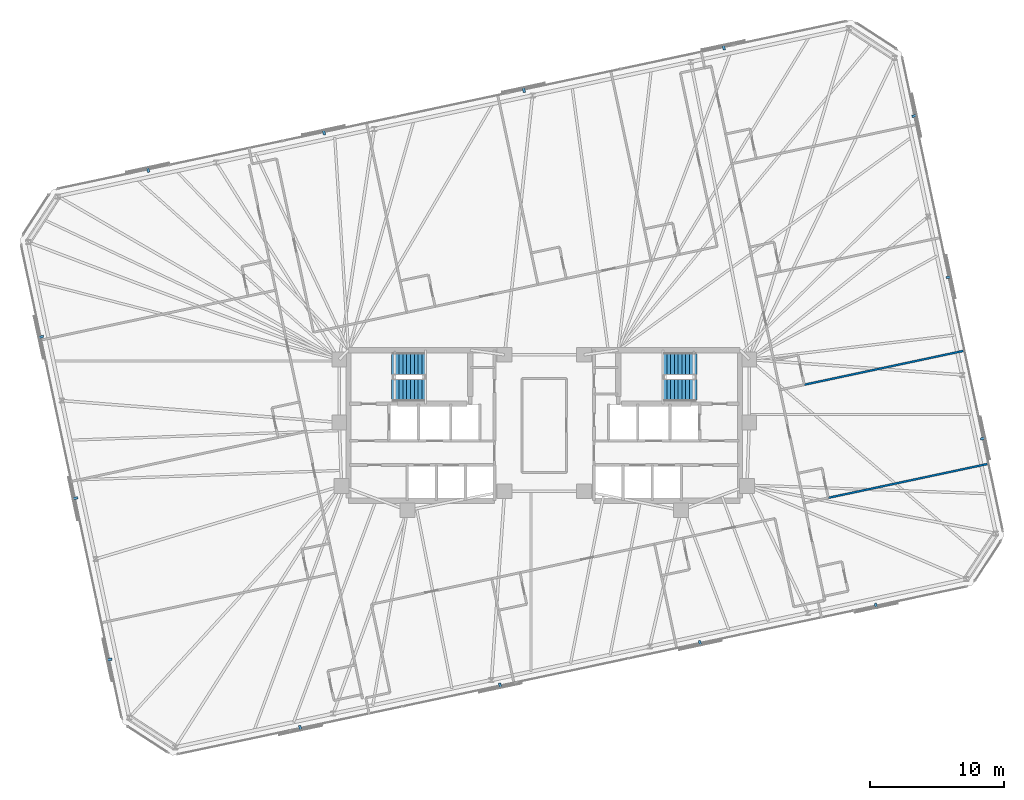
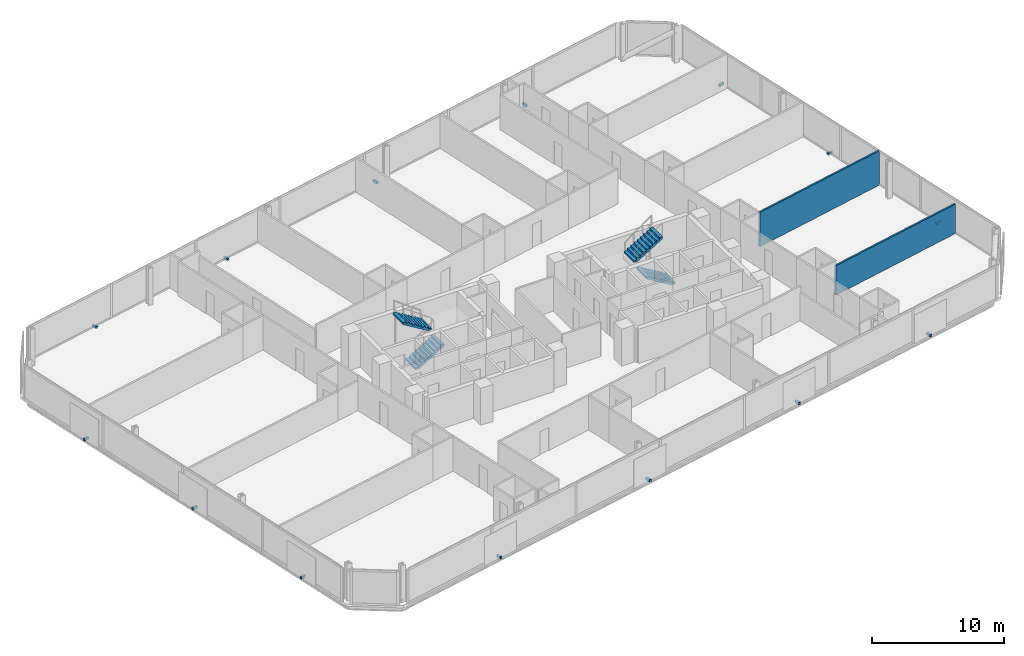
# One storey, part 18 of 19: 14 discrete accessories, 4 stair flights, 2 walls, 2 elements without a shape of their own.
"""IFC4 building model written with IfcOpenShell, lengths in metres."""

from ifc_helpers import new_model, si_unit, direction, frame, frame_2d, origin, origin_2d, place, context, subcontext, project, spatial, polyline, rectangle, outline, extrude, material, layer, layer_set, type_object, element, aggregate, save


model = new_model("IFC4")

# Units and contexts
model_context = context("Model", 3, precision=1e-05, world=origin(), true_north=direction((0.0, 1.0)))
body_context = subcontext(model_context, "Body", "Model", "MODEL_VIEW")
ifc_project = project(units=[si_unit("LENGTHUNIT", "METRE"), si_unit("AREAUNIT", "SQUARE_METRE"), si_unit("VOLUMEUNIT", "CUBIC_METRE"), si_unit("PLANEANGLEUNIT", "RADIAN"), si_unit("MASSUNIT", "GRAM", prefix="KILO")], contexts=[model_context])

# Site, building, storey
site_placement = place(None, origin())
site = spatial("IfcSite", under=ifc_project, at=site_placement, CompositionType="ELEMENT")
building_placement = place(site_placement, origin())
building = spatial("IfcBuilding", under=site, at=building_placement, Name="Menara Jurai Vektor", CompositionType="ELEMENT")
storey_placement = place(building_placement, frame((0.0, 0.0, 195.60009765625)))
storey = spatial("IfcBuildingStorey", under=building, at=storey_placement, Name="L51", CompositionType="ELEMENT", Elevation=195.60009765625)

# Walls
ifc_material_1 = material(Name="Gypsum Fireboard Partition", Category="gypsum")
ifc_layer_1 = layer(ifc_material_1, 0.14990234375)
ifc_layer_set_1 = layer_set([ifc_layer_1], Name="Gypsum Fireboard Partition")
wall_type_1 = type_object("IfcWallType", Name="INT-WALL-CORR-150", PredefinedType="PARTITIONING", material=ifc_layer_set_1)
wall_1_placement = place(storey_placement, frame((19.34130859375, 3.025146484375, 0.0), z_axis=(0.0, 0.0, 1.0), x_axis=(0.97814556055, 0.207921288896, 0.0)))
element("IfcWall", 1, at=wall_1_placement, inside=storey, type_object=wall_type_1, Name="Interior Wall IW-150 L51", PredefinedType="PARTITIONING", context=body_context, shape_type="SweptSolid", body=[
    extrude(rectangle(XDim=12.18701171875, YDim=0.14990234375, at=frame_2d((6.093505859375, 0.0))), origin(), (0.0, 0.0, 1.0), 3.1748046875),
])
ifc_layer_2 = layer(ifc_material_1, 0.14990234375)
ifc_layer_set_2 = layer_set([ifc_layer_2], Name="Gypsum Fireboard Partition")
wall_type_2 = type_object("IfcWallType", Name="INT-WALL-CORR-150-H1", PredefinedType="PARTITIONING", material=ifc_layer_set_2)
wall_2_placement = place(storey_placement, frame((21.12939453125, -5.386962890625, 0.0), z_axis=(0.0, 0.0, 1.0), x_axis=(0.97814556055, 0.207921288896, 0.0)))
element("IfcWall", 2, at=wall_2_placement, inside=storey, type_object=wall_type_2, Name="Interior Wall IW-150 L51", PredefinedType="PARTITIONING", context=body_context, shape_type="SweptSolid", body=[
    extrude(rectangle(XDim=12.18701171875, YDim=0.14990234375, at=frame_2d((6.093505859375, 0.0))), origin(), (0.0, 0.0, 1.0), 2.724853515625),
])

# Stair, stair flights
ifc_material_2 = material(Name="Concrete C40/50", Category="concrete")
stair_type = type_object("IfcStairType", Name="STAIR-DOGLEG-1500", PredefinedType="HALF_TURN_STAIR", material=ifc_material_2)
stair_1_placement = place(storey_placement, origin())
stair_1 = element("IfcStair", 3, at=stair_1_placement, inside=storey, type_object=stair_type, Name="Protected Exit Stair ST1 L51", PredefinedType="HALF_TURN_STAIR")
stair_flight_type = type_object("IfcStairFlightType", Name="STAIR-FLIGHT-1500", PredefinedType="STRAIGHT", material=ifc_material_2)
stair_flight_1_placement = place(storey_placement, frame((-11.35009765625, 2.64990234375, 0.0), z_axis=(0.0, 0.0, 1.0), x_axis=(1.0, 0.0, 0.0)))
stair_flight_1 = element("IfcStairFlight", 4, at=stair_flight_1_placement, type_object=stair_flight_type, Name="ST1 flight 1", NumberOfRisers=10, NumberOfTreads=9, PredefinedType="STRAIGHT", RiserHeight=0.17, TreadLength=0.28, context=body_context, shape_type="SweptSolid", body=[
    extrude(outline(polyline([(0.0, 0.0), (0.0, 0.169921875), (0.280029296875, 0.169921875), (0.280029296875, 0.340087890625), (0.56005859375, 0.340087890625), (0.56005859375, 0.510009765625), (0.840087890625, 0.510009765625), (0.840087890625, 0.679931640625), (1.1201171875, 0.679931640625), (1.1201171875, 0.85009765625), (1.39990234375, 0.85009765625), (1.39990234375, 1.02001953125), (1.679931640625, 1.02001953125), (1.679931640625, 1.18994140625), (1.9599609375, 1.18994140625), (1.9599609375, 1.360107421875), (2.239990234375, 1.360107421875), (2.239990234375, 1.530029296875), (2.52001953125, 1.530029296875), (2.52001953125, 1.699951171875), (2.52001953125, 1.343017578125), (0.30810546875, 0.0), (0.0, 0.0)])), frame((0.0, 0.75, 0.0), z_axis=(0.0, -1.0, 0.0), x_axis=(1.0, 0.0, 0.0)), (0.0, 0.0, 1.0), 1.5),
])
stair_flight_2_placement = place(storey_placement, frame((-8.830078125, 4.550048828125, 1.699951171875), z_axis=(0.0, 0.0, 1.0), x_axis=(-1.0, 0.0, 0.0)))
stair_flight_2 = element("IfcStairFlight", 5, at=stair_flight_2_placement, type_object=stair_flight_type, Name="ST1 flight 2", NumberOfRisers=10, NumberOfTreads=9, PredefinedType="STRAIGHT", RiserHeight=0.17, TreadLength=0.28, context=body_context, shape_type="SweptSolid", body=[
    extrude(outline(polyline([(0.0, 0.0), (0.0, 0.169921875), (0.280029296875, 0.169921875), (0.280029296875, 0.340087890625), (0.56005859375, 0.340087890625), (0.56005859375, 0.510009765625), (0.840087890625, 0.510009765625), (0.840087890625, 0.679931640625), (1.1201171875, 0.679931640625), (1.1201171875, 0.85009765625), (1.39990234375, 0.85009765625), (1.39990234375, 1.02001953125), (1.679931640625, 1.02001953125), (1.679931640625, 1.18994140625), (1.9599609375, 1.18994140625), (1.9599609375, 1.360107421875), (2.239990234375, 1.360107421875), (2.239990234375, 1.530029296875), (2.52001953125, 1.530029296875), (2.52001953125, 1.699951171875), (2.52001953125, 1.343017578125), (0.30810546875, 0.0), (0.0, 0.0)])), frame((0.0, 0.75, 0.0), z_axis=(0.0, -1.0, 0.0), x_axis=(1.0, 0.0, 0.0)), (0.0, 0.0, 1.0), 1.5),
])
aggregate(stair_1, [stair_flight_1, stair_flight_2])

stair_2_placement = place(storey_placement, origin())
stair_2 = element("IfcStair", 6, at=stair_2_placement, inside=storey, type_object=stair_type, Name="Protected Exit Stair ST2 L51", PredefinedType="HALF_TURN_STAIR")
stair_flight_3_placement = place(storey_placement, frame((11.35009765625, 2.64990234375, 0.0), z_axis=(0.0, 0.0, 1.0), x_axis=(-1.0, 0.0, 0.0)))
stair_flight_3 = element("IfcStairFlight", 7, at=stair_flight_3_placement, type_object=stair_flight_type, Name="ST2 flight 1", NumberOfRisers=10, NumberOfTreads=9, PredefinedType="STRAIGHT", RiserHeight=0.17, TreadLength=0.28, context=body_context, shape_type="SweptSolid", body=[
    extrude(outline(polyline([(0.0, 0.0), (0.0, 0.169921875), (0.280029296875, 0.169921875), (0.280029296875, 0.340087890625), (0.56005859375, 0.340087890625), (0.56005859375, 0.510009765625), (0.840087890625, 0.510009765625), (0.840087890625, 0.679931640625), (1.1201171875, 0.679931640625), (1.1201171875, 0.85009765625), (1.39990234375, 0.85009765625), (1.39990234375, 1.02001953125), (1.679931640625, 1.02001953125), (1.679931640625, 1.18994140625), (1.9599609375, 1.18994140625), (1.9599609375, 1.360107421875), (2.239990234375, 1.360107421875), (2.239990234375, 1.530029296875), (2.52001953125, 1.530029296875), (2.52001953125, 1.699951171875), (2.52001953125, 1.343017578125), (0.30810546875, 0.0), (0.0, 0.0)])), frame((0.0, 0.75, 0.0), z_axis=(0.0, -1.0, 0.0), x_axis=(1.0, 0.0, 0.0)), (0.0, 0.0, 1.0), 1.5),
])
stair_flight_4_placement = place(storey_placement, frame((8.830078125, 4.550048828125, 1.699951171875), z_axis=(0.0, 0.0, 1.0), x_axis=(1.0, 0.0, 0.0)))
stair_flight_4 = element("IfcStairFlight", 8, at=stair_flight_4_placement, type_object=stair_flight_type, Name="ST2 flight 2", NumberOfRisers=10, NumberOfTreads=9, PredefinedType="STRAIGHT", RiserHeight=0.17, TreadLength=0.28, context=body_context, shape_type="SweptSolid", body=[
    extrude(outline(polyline([(0.0, 0.0), (0.0, 0.169921875), (0.280029296875, 0.169921875), (0.280029296875, 0.340087890625), (0.56005859375, 0.340087890625), (0.56005859375, 0.510009765625), (0.840087890625, 0.510009765625), (0.840087890625, 0.679931640625), (1.1201171875, 0.679931640625), (1.1201171875, 0.85009765625), (1.39990234375, 0.85009765625), (1.39990234375, 1.02001953125), (1.679931640625, 1.02001953125), (1.679931640625, 1.18994140625), (1.9599609375, 1.18994140625), (1.9599609375, 1.360107421875), (2.239990234375, 1.360107421875), (2.239990234375, 1.530029296875), (2.52001953125, 1.530029296875), (2.52001953125, 1.699951171875), (2.52001953125, 1.343017578125), (0.30810546875, 0.0), (0.0, 0.0)])), frame((0.0, 0.75, 0.0), z_axis=(0.0, -1.0, 0.0), x_axis=(1.0, 0.0, 0.0)), (0.0, 0.0, 1.0), 1.5),
])
aggregate(stair_2, [stair_flight_3, stair_flight_4])

# Discrete accessories
ifc_material_3 = material(Name="Steel S355", Category="steel")
discrete_accessory_type = type_object("IfcDiscreteAccessoryType", Name="ENV-ACC-BRACKET", PredefinedType="BRACKET", material=ifc_material_3)
for number, where, z_axis, x_axis, name in (
    (9, (-18.148193359375, -22.537841796875, -0.1298828125), (0.0, 0.0, 1.0), (0.978147600734, 0.207911690818, 0.0), "Solar Screen Stand-Off Bracket L51-S01"),
    (10, (-3.2802734375, -19.377685546875, -0.1298828125), (0.0, 0.0, 1.0), (0.978147600734, 0.207911690818, 0.0), "Solar Screen Stand-Off Bracket L51-S02"),
    (11, (11.587646484375, -16.21728515625, -0.1298828125), (0.0, 0.0, 1.0), (0.978147600734, 0.207911690818, 0.0), "Solar Screen Stand-Off Bracket L51-S03"),
    (12, (24.67138671875, -13.436279296875, -0.1298828125), (0.0, 0.0, 1.0), (0.978147600734, 0.207911690818, 0.0), "Solar Screen Stand-Off Bracket L51-S04"),
    (13, (32.660400390625, -0.9716796875, -0.1298828125), (0.0, 0.0, 1.0), (-0.207911690818, 0.978147600734, 0.0), "Solar Screen Stand-Off Bracket L51-S05"),
    (14, (30.10986328125, 11.027099609375, -0.1298828125), (0.0, 0.0, 1.0), (-0.207911690818, 0.978147600734, 0.0), "Solar Screen Stand-Off Bracket L51-S06"),
    (15, (27.5595703125, 23.025634765625, -0.1298828125), (0.0, 0.0, 1.0), (-0.207911690818, 0.978147600734, 0.0), "Solar Screen Stand-Off Bracket L51-S07"),
    (16, (13.34814453125, 28.137939453125, -0.1298828125), (0.0, 0.0, 1.0), (-0.978147600734, -0.207911690818, 0.0), "Solar Screen Stand-Off Bracket L51-S08"),
    (17, (-1.519775390625, 24.977783203125, -0.1298828125), (0.0, 0.0, 1.0), (-0.978147600734, -0.207911690818, 0.0), "Solar Screen Stand-Off Bracket L51-S09"),
    (18, (-16.3876953125, 21.8173828125, -0.1298828125), (0.0, 0.0, 1.0), (-0.978147600734, -0.207911690818, 0.0), "Solar Screen Stand-Off Bracket L51-S10"),
    (19, (-29.47119140625, 19.036376953125, -0.1298828125), (0.0, 0.0, 1.0), (-0.978147600734, -0.207911690818, 0.0), "Solar Screen Stand-Off Bracket L51-S11"),
    (20, (-37.460205078125, 6.571533203125, -0.1298828125), (0.0, 0.0, 1.0), (0.207911690818, -0.978147600734, 0.0), "Solar Screen Stand-Off Bracket L51-S12"),
    (21, (-34.909912109375, -5.427001953125, -0.1298828125), (0.0, 0.0, 1.0), (0.207911690818, -0.978147600734, 0.0), "Solar Screen Stand-Off Bracket L51-S13"),
    (22, (-32.359619140625, -17.425537109375, -0.1298828125), (0.0, 0.0, 1.0), (0.207911690818, -0.978147600734, 0.0), "Solar Screen Stand-Off Bracket L51-S14"),
):
    element("IfcDiscreteAccessory", number, at=place(storey_placement, frame(where, z_axis=z_axis, x_axis=x_axis)), inside=storey, type_object=discrete_accessory_type, Name=name, PredefinedType="BRACKET", context=body_context, shape_type="SweptSolid", body=[
        extrude(rectangle(XDim=0.179931640625, YDim=0.43994140625, at=origin_2d()), origin(), (0.0, 0.0, 1.0), 0.219970703125),
    ])

save(model, "model.ifc")
